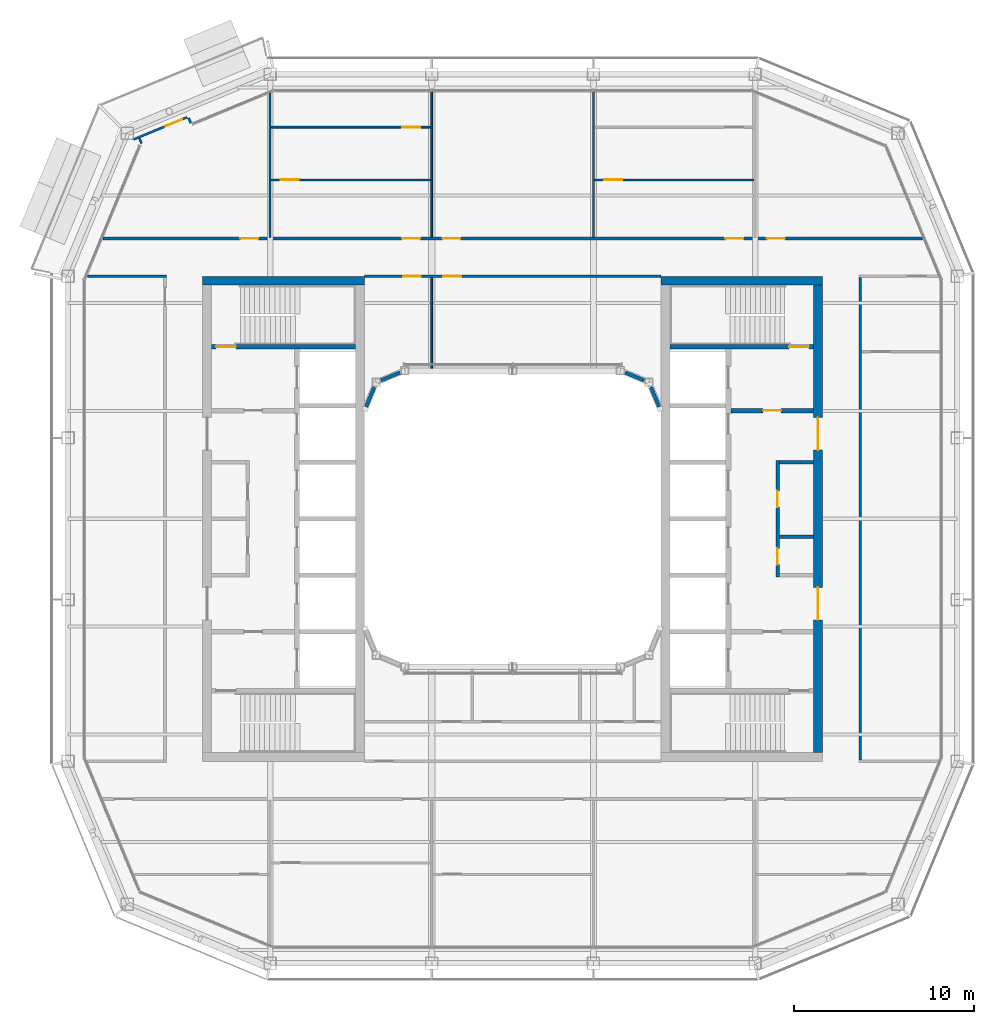
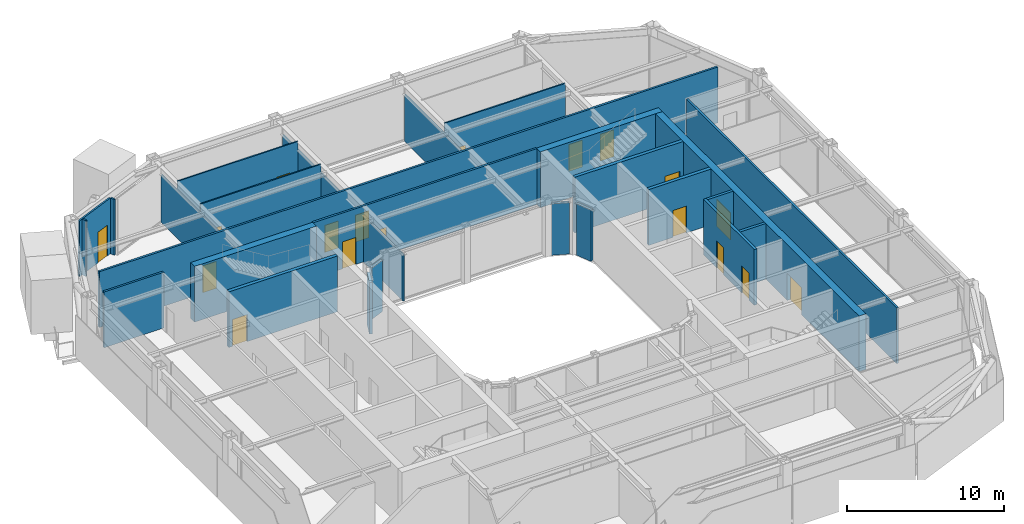
# One storey, part 14 of 22: 27 walls, 18 doors, 18 openings.
"""IFC4 building model written with IfcOpenShell, lengths in metres."""

from ifc_helpers import new_model, si_unit, direction, frame, frame_2d, origin, place, context, subcontext, project, spatial, rectangle, extrude, material, layer, layer_set, type_object, element, fill, save


model = new_model("IFC4")

# Units and contexts
model_context = context("Model", 3, precision=1e-05, world=origin(), true_north=direction((0.0, 1.0)))
body_context = subcontext(model_context, "Body", "Model", "MODEL_VIEW")
ifc_project = project(units=[si_unit("LENGTHUNIT", "METRE"), si_unit("AREAUNIT", "SQUARE_METRE"), si_unit("VOLUMEUNIT", "CUBIC_METRE"), si_unit("PLANEANGLEUNIT", "RADIAN"), si_unit("MASSUNIT", "GRAM", prefix="KILO")], contexts=[model_context])

# Site, building, storey
site_placement = place(None, origin())
site = spatial("IfcSite", under=ifc_project, at=site_placement, CompositionType="ELEMENT")
building_placement = place(site_placement, origin())
building = spatial("IfcBuilding", under=site, at=building_placement, Name="Siwar Civic Tower", CompositionType="ELEMENT")
storey_placement = place(building_placement, frame((0.0, 0.0, 330.199951171875)))
storey = spatial("IfcBuildingStorey", under=building, at=storey_placement, Name="L71", CompositionType="ELEMENT", Elevation=330.199951171875)

# Wall, openings, doors
ifc_material_1 = material(Name="Gypsum board on steel studs", Category="steel")
ifc_layer_1 = layer(ifc_material_1, 0.199951171875)
ifc_layer_set_1 = layer_set([ifc_layer_1], Name="Gypsum board on steel studs")
wall_type_1 = type_object("IfcWallType", Name="CORE-PARTITION-200", PredefinedType="PARTITIONING", material=ifc_layer_set_1)
wall_1_placement = place(storey_placement, frame((14.75, -3.25, 0.0), z_axis=(0.0, 0.0, 1.0), x_axis=(0.0, 1.0, 0.0)))
wall_1 = element("IfcWall", 1, at=wall_1_placement, inside=storey, type_object=wall_type_1, Name="Core partition E", PredefinedType="PARTITIONING", context=body_context, shape_type="SweptSolid", body=[
    extrude(rectangle(XDim=6.5, YDim=0.199951171875, at=frame_2d((3.25, 0.0))), origin(), (0.0, 0.0, 1.0), 4.35009765625),
])
opening_1_placement = place(wall_1_placement, frame((0.699951171875, 0.0, 0.0)))
opening_1 = element("IfcOpeningElement", 2, at=opening_1_placement, cuts=wall_1, Name="Opening L71-CE13", PredefinedType="OPENING", context=body_context, shape_type="SweptSolid", body=[
    extrude(rectangle(XDim=0.89990234375, YDim=2.10009765625, at=frame_2d((0.449951171875, 1.050048828125))), frame((0.0, 0.10986328125, 0.0), z_axis=(0.0, -1.0, 0.0), x_axis=(1.0, 0.0, 0.0)), (0.0, 0.0, 1.0), 0.219970703125),
])
opening_2_placement = place(wall_1_placement, frame((3.89990234375, 0.0, 0.0)))
opening_2 = element("IfcOpeningElement", 3, at=opening_2_placement, cuts=wall_1, Name="Opening L71-CE14", PredefinedType="OPENING", context=body_context, shape_type="SweptSolid", body=[
    extrude(rectangle(XDim=0.89990234375, YDim=2.10009765625, at=frame_2d((0.449951171875, 1.050048828125))), frame((0.0, 0.10986328125, 0.0), z_axis=(0.0, -1.0, 0.0), x_axis=(1.0, 0.0, 0.0)), (0.0, 0.0, 1.0), 0.219970703125),
])
ifc_material_2 = material(Name="Steel door leaf", Category="steel")
door_type_1 = type_object("IfcDoorType", Name="CORE-DOOR-ROOM", OperationType="SINGLE_SWING_LEFT", PredefinedType="DOOR", material=ifc_material_2)
door_1_placement = place(opening_1_placement, origin())
door_1 = element("IfcDoor", 4, at=door_1_placement, inside=storey, type_object=door_type_1, Name="Core room door L71-CE13", OperationType="SINGLE_SWING_LEFT", OverallHeight=2.10009765625, OverallWidth=0.89990234375, PredefinedType="DOOR", context=body_context, shape_type="SweptSolid", body=[
    extrude(rectangle(XDim=0.89990234375, YDim=2.10009765625, at=frame_2d((0.449951171875, 1.050048828125))), frame((0.0, 0.02490234375, 0.0), z_axis=(0.0, -1.0, 0.0), x_axis=(1.0, 0.0, 0.0)), (0.0, 0.0, 1.0), 0.050048828125),
])
fill(opening_1, door_1)
door_2_placement = place(opening_2_placement, origin())
door_2 = element("IfcDoor", 5, at=door_2_placement, inside=storey, type_object=door_type_1, Name="Core room door L71-CE14", OperationType="SINGLE_SWING_RIGHT", OverallHeight=2.10009765625, OverallWidth=0.89990234375, PredefinedType="DOOR", context=body_context, shape_type="SweptSolid", body=[
    extrude(rectangle(XDim=0.89990234375, YDim=2.10009765625, at=frame_2d((0.449951171875, 1.050048828125))), frame((0.0, 0.02490234375, 0.0), z_axis=(0.0, -1.0, 0.0), x_axis=(1.0, 0.0, 0.0)), (0.0, 0.0, 1.0), 0.050048828125),
])
fill(opening_2, door_2)

# Walls
for number, where, z_axis, x_axis, name in (
    (6, (14.85009765625, 3.14990234375, 0.0), (0.0, 0.0, 1.0), (1.0, 0.0, 0.0), "Core partition E"),
    (7, (14.85009765625, -1.0, 0.0), (0.0, 0.0, 1.0), (1.0, 0.0, 0.0), "Core partition E"),
):
    element("IfcWall", number, at=place(storey_placement, frame(where, z_axis=z_axis, x_axis=x_axis)), inside=storey, type_object=wall_type_1, Name=name, PredefinedType="PARTITIONING", context=body_context, shape_type="SweptSolid", body=[
        extrude(rectangle(XDim=1.89990234375, YDim=0.199951171875, at=frame_2d((0.949951171875, 0.0))), origin(), (0.0, 0.0, 1.0), 4.35009765625),
    ])

# Wall, opening, door
ifc_material_3 = material(Name="Concrete C60/75", Category="concrete")
ifc_layer_2 = layer(ifc_material_3, 0.25)
ifc_layer_set_2 = layer_set([ifc_layer_2], Name="Concrete C60/75")
wall_type_2 = type_object("IfcWallType", Name="CORE-WALL-RC250", PredefinedType="SHEAR", material=ifc_layer_set_2)
wall_2_placement = place(storey_placement, frame((-8.75, 9.574951171875, 0.0), z_axis=(0.0, 0.0, 1.0), x_axis=(-1.0, 0.0, 0.0)))
wall_2 = element("IfcWall", 8, at=wall_2_placement, inside=storey, type_object=wall_type_2, Name="Core wall W", PredefinedType="SHEAR", context=body_context, shape_type="SweptSolid", body=[
    extrude(rectangle(XDim=8.0, YDim=0.25, at=frame_2d((4.0, 0.0))), origin(), (0.0, 0.0, 1.0), 4.35009765625),
])
opening_3_placement = place(wall_2_placement, frame((6.64990234375, 0.0, 0.0)))
opening_3 = element("IfcOpeningElement", 9, at=opening_3_placement, cuts=wall_2, Name="Opening L71-CW03", PredefinedType="OPENING", context=body_context, shape_type="SweptSolid", body=[
    extrude(rectangle(XDim=1.10009765625, YDim=2.10009765625, at=frame_2d((0.550048828125, 1.050048828125))), frame((0.0, 0.135009765625, 0.0), z_axis=(0.0, -1.0, 0.0), x_axis=(1.0, 0.0, 0.0)), (0.0, 0.0, 1.0), 0.27001953125),
])
ifc_material_4 = material(Name="Steel door leaf", Category="steel")
door_type_2 = type_object("IfcDoorType", Name="CORE-DOOR-FD60S", OperationType="SINGLE_SWING_LEFT", PredefinedType="DOOR", material=ifc_material_4)
door_3_placement = place(opening_3_placement, origin())
door_3 = element("IfcDoor", 10, at=door_3_placement, inside=storey, type_object=door_type_2, Name="Stair door L71-CW03", OperationType="SINGLE_SWING_RIGHT", OverallHeight=2.10009765625, OverallWidth=1.10009765625, PredefinedType="DOOR", context=body_context, shape_type="SweptSolid", body=[
    extrude(rectangle(XDim=1.10009765625, YDim=2.10009765625, at=frame_2d((0.550048828125, 1.050048828125))), frame((0.0, 0.02490234375, 0.0), z_axis=(0.0, -1.0, 0.0), x_axis=(1.0, 0.0, 0.0)), (0.0, 0.0, 1.0), 0.050048828125),
])
fill(opening_3, door_3)

wall_3_placement = place(storey_placement, frame((12.14990234375, 6.02490234375, 0.0), z_axis=(0.0, 0.0, 1.0), x_axis=(1.0, 0.0, 0.0)))
wall_3 = element("IfcWall", 11, at=wall_3_placement, inside=storey, type_object=wall_type_2, Name="Core wall E", PredefinedType="SHEAR", context=body_context, shape_type="SweptSolid", body=[
    extrude(rectangle(XDim=4.60009765625, YDim=0.25, at=frame_2d((2.300048828125, 0.0))), origin(), (0.0, 0.0, 1.0), 4.35009765625),
])
opening_4_placement = place(wall_3_placement, frame((1.800048828125, 0.0, 0.0)))
opening_4 = element("IfcOpeningElement", 12, at=opening_4_placement, cuts=wall_3, Name="Opening L71-CE01", PredefinedType="OPENING", context=body_context, shape_type="SweptSolid", body=[
    extrude(rectangle(XDim=1.0, YDim=2.10009765625, at=frame_2d((0.5, 1.050048828125))), frame((0.0, 0.135009765625, 0.0), z_axis=(0.0, -1.0, 0.0), x_axis=(1.0, 0.0, 0.0)), (0.0, 0.0, 1.0), 0.27001953125),
])
ifc_material_5 = material(Name="Steel door leaf", Category="steel")
door_type_3 = type_object("IfcDoorType", Name="CORE-DOOR-FD30S", OperationType="SINGLE_SWING_LEFT", PredefinedType="DOOR", material=ifc_material_5)
door_4_placement = place(opening_4_placement, origin())
door_4 = element("IfcDoor", 13, at=door_4_placement, inside=storey, type_object=door_type_3, Name="Firefighting lobby door L71-CE01", OperationType="SINGLE_SWING_RIGHT", OverallHeight=2.10009765625, OverallWidth=1.0, PredefinedType="DOOR", context=body_context, shape_type="SweptSolid", body=[
    extrude(rectangle(XDim=1.0, YDim=2.10009765625, at=frame_2d((0.5, 1.050048828125))), frame((0.0, 0.02490234375, 0.0), z_axis=(0.0, -1.0, 0.0), x_axis=(1.0, 0.0, 0.0)), (0.0, 0.0, 1.0), 0.050048828125),
])
fill(opening_4, door_4)

wall_4_placement = place(storey_placement, frame((8.75, 9.574951171875, 0.0), z_axis=(0.0, 0.0, 1.0), x_axis=(1.0, 0.0, 0.0)))
wall_4 = element("IfcWall", 14, at=wall_4_placement, inside=storey, type_object=wall_type_2, Name="Core wall E", PredefinedType="SHEAR", context=body_context, shape_type="SweptSolid", body=[
    extrude(rectangle(XDim=8.0, YDim=0.25, at=frame_2d((4.0, 0.0))), origin(), (0.0, 0.0, 1.0), 4.35009765625),
])
opening_5_placement = place(wall_4_placement, frame((6.64990234375, 0.0, 0.0)))
opening_5 = element("IfcOpeningElement", 15, at=opening_5_placement, cuts=wall_4, Name="Opening L71-CE03", PredefinedType="OPENING", context=body_context, shape_type="SweptSolid", body=[
    extrude(rectangle(XDim=1.10009765625, YDim=2.10009765625, at=frame_2d((0.550048828125, 1.050048828125))), frame((0.0, 0.135009765625, 0.0), z_axis=(0.0, -1.0, 0.0), x_axis=(1.0, 0.0, 0.0)), (0.0, 0.0, 1.0), 0.27001953125),
])
door_5_placement = place(opening_5_placement, origin())
door_5 = element("IfcDoor", 16, at=door_5_placement, inside=storey, type_object=door_type_2, Name="Stair door L71-CE03", OperationType="SINGLE_SWING_LEFT", OverallHeight=2.10009765625, OverallWidth=1.10009765625, PredefinedType="DOOR", context=body_context, shape_type="SweptSolid", body=[
    extrude(rectangle(XDim=1.10009765625, YDim=2.10009765625, at=frame_2d((0.550048828125, 1.050048828125))), frame((0.0, 0.02490234375, 0.0), z_axis=(0.0, -1.0, 0.0), x_axis=(1.0, 0.0, 0.0)), (0.0, 0.0, 1.0), 0.050048828125),
])
fill(opening_5, door_5)

# Wall
ifc_material_6 = material(Name="Concrete C60/75", Category="concrete")
ifc_layer_3 = layer(ifc_material_6, 0.5)
ifc_layer_set_3 = layer_set([ifc_layer_3], Name="Concrete C60/75")
wall_type_3 = type_object("IfcWallType", Name="CORE-WALL-RC500", PredefinedType="SHEAR", material=ifc_layer_set_3)
wall_5_placement = place(storey_placement, frame((-8.25, 13.25, 0.0), z_axis=(0.0, 0.0, 1.0), x_axis=(-1.0, 0.0, 0.0)))
element("IfcWall", 17, at=wall_5_placement, inside=storey, type_object=wall_type_3, Name="Core wall W", PredefinedType="SHEAR", context=body_context, shape_type="SweptSolid", body=[
    extrude(rectangle(XDim=9.0, YDim=0.5, at=frame_2d((4.5, 0.0))), origin(), (0.0, 0.0, 1.0), 4.35009765625),
])

# Wall, openings, doors
wall_6_placement = place(storey_placement, frame((17.0, -13.0, 0.0), z_axis=(0.0, 0.0, 1.0), x_axis=(0.0, 1.0, 0.0)))
wall_6 = element("IfcWall", 18, at=wall_6_placement, inside=storey, type_object=wall_type_3, Name="Core wall E", PredefinedType="SHEAR", context=body_context, shape_type="SweptSolid", body=[
    extrude(rectangle(XDim=26.0, YDim=0.5, at=frame_2d((13.0, 0.0))), origin(), (0.0, 0.0, 1.0), 4.35009765625),
])
opening_6_placement = place(wall_6_placement, frame((16.824951171875, 0.0, 0.0)))
opening_6 = element("IfcOpeningElement", 19, at=opening_6_placement, cuts=wall_6, Name="Opening L71-CE05", PredefinedType="OPENING", context=body_context, shape_type="SweptSolid", body=[
    extrude(rectangle(XDim=1.800048828125, YDim=2.10009765625, at=frame_2d((0.89990234375, 1.050048828125))), frame((0.0, 0.260009765625, 0.0), z_axis=(0.0, -1.0, 0.0), x_axis=(1.0, 0.0, 0.0)), (0.0, 0.0, 1.0), 0.52001953125),
])
opening_7_placement = place(wall_6_placement, frame((7.375, 0.0, 0.0)))
opening_7 = element("IfcOpeningElement", 20, at=opening_7_placement, cuts=wall_6, Name="Opening L71-CE06", PredefinedType="OPENING", context=body_context, shape_type="SweptSolid", body=[
    extrude(rectangle(XDim=1.800048828125, YDim=2.10009765625, at=frame_2d((0.89990234375, 1.050048828125))), frame((0.0, 0.260009765625, 0.0), z_axis=(0.0, -1.0, 0.0), x_axis=(1.0, 0.0, 0.0)), (0.0, 0.0, 1.0), 0.52001953125),
])
ifc_material_7 = material(Name="Steel door leaf", Category="steel")
door_type_4 = type_object("IfcDoorType", Name="CORE-DOOR-PORT", OperationType="DOUBLE_DOOR_DOUBLE_SWING", PredefinedType="DOOR", material=ifc_material_7)
door_6_placement = place(opening_6_placement, origin())
door_6 = element("IfcDoor", 21, at=door_6_placement, inside=storey, type_object=door_type_4, Name="Core entrance door L71-CE05", OperationType="DOUBLE_DOOR_DOUBLE_SWING", OverallHeight=2.10009765625, OverallWidth=1.800048828125, PredefinedType="DOOR", context=body_context, shape_type="SweptSolid", body=[
    extrude(rectangle(XDim=1.800048828125, YDim=2.10009765625, at=frame_2d((0.89990234375, 1.050048828125))), frame((0.0, 0.02490234375, 0.0), z_axis=(0.0, -1.0, 0.0), x_axis=(1.0, 0.0, 0.0)), (0.0, 0.0, 1.0), 0.050048828125),
])
fill(opening_6, door_6)
door_7_placement = place(opening_7_placement, origin())
door_7 = element("IfcDoor", 22, at=door_7_placement, inside=storey, type_object=door_type_4, Name="Core entrance door L71-CE06", OperationType="DOUBLE_DOOR_DOUBLE_SWING", OverallHeight=2.10009765625, OverallWidth=1.800048828125, PredefinedType="DOOR", context=body_context, shape_type="SweptSolid", body=[
    extrude(rectangle(XDim=1.800048828125, YDim=2.10009765625, at=frame_2d((0.89990234375, 1.050048828125))), frame((0.0, 0.02490234375, 0.0), z_axis=(0.0, -1.0, 0.0), x_axis=(1.0, 0.0, 0.0)), (0.0, 0.0, 1.0), 0.050048828125),
])
fill(opening_7, door_7)

# Walls
wall_7_placement = place(storey_placement, frame((8.25, 13.25, 0.0), z_axis=(0.0, 0.0, 1.0), x_axis=(1.0, 0.0, 0.0)))
element("IfcWall", 23, at=wall_7_placement, inside=storey, type_object=wall_type_3, Name="Core wall E", PredefinedType="SHEAR", context=body_context, shape_type="SweptSolid", body=[
    extrude(rectangle(XDim=9.0, YDim=0.5, at=frame_2d((4.5, 0.0))), origin(), (0.0, 0.0, 1.0), 4.35009765625),
])
ifc_material_8 = material(Name="Gypsum board on steel studs", Category="steel")
ifc_layer_4 = layer(ifc_material_8, 0.14990234375)
ifc_layer_set_4 = layer_set([ifc_layer_4], Name="Gypsum board on steel studs")
wall_type_4 = type_object("IfcWallType", Name="CORRIDOR PARTITION 150 EI 30", PredefinedType="PARTITIONING", material=ifc_layer_set_4)
wall_8_placement = place(storey_placement, frame((-23.677978515625, 13.5, 0.0), z_axis=(0.0, 0.0, 1.0), x_axis=(1.0, 0.0, 0.0)))
element("IfcWall", 24, at=wall_8_placement, inside=storey, type_object=wall_type_4, Name="L71/wall/P12", PredefinedType="PARTITIONING", context=body_context, shape_type="SweptSolid", body=[
    extrude(rectangle(XDim=4.403076171875, YDim=0.14990234375, at=frame_2d((2.20166015625, 0.0))), origin(), (0.0, 0.0, 1.0), 4.35009765625),
])

# Wall, openings, doors
wall_9_placement = place(storey_placement, frame((-8.25, 13.5, 0.0), z_axis=(0.0, 0.0, 1.0), x_axis=(1.0, 0.0, 0.0)))
wall_9 = element("IfcWall", 25, at=wall_9_placement, inside=storey, type_object=wall_type_4, Name="L71/wall/P13", PredefinedType="PARTITIONING", context=body_context, shape_type="SweptSolid", body=[
    extrude(rectangle(XDim=16.5, YDim=0.14990234375, at=frame_2d((8.25, 0.0))), origin(), (0.0, 0.0, 1.0), 4.35009765625),
])
opening_8_placement = place(wall_9_placement, frame((2.14990234375, 0.0, 0.0)))
opening_8 = element("IfcOpeningElement", 26, at=opening_8_placement, cuts=wall_9, Name="Opening D1", PredefinedType="OPENING", context=body_context, shape_type="SweptSolid", body=[
    extrude(rectangle(XDim=1.0, YDim=2.10009765625, at=frame_2d((0.5, 1.050048828125))), frame((0.0, 0.0849609375, 0.0), z_axis=(0.0, -1.0, 0.0), x_axis=(1.0, 0.0, 0.0)), (0.0, 0.0, 1.0), 0.169921875),
])
opening_9_placement = place(wall_9_placement, frame((4.39990234375, 0.0, 0.0)))
opening_9 = element("IfcOpeningElement", 27, at=opening_9_placement, cuts=wall_9, Name="Opening D1", PredefinedType="OPENING", context=body_context, shape_type="SweptSolid", body=[
    extrude(rectangle(XDim=1.0, YDim=2.10009765625, at=frame_2d((0.5, 1.050048828125))), frame((0.0, 0.0849609375, 0.0), z_axis=(0.0, -1.0, 0.0), x_axis=(1.0, 0.0, 0.0)), (0.0, 0.0, 1.0), 0.169921875),
])
ifc_material_9 = material(Name="Timber, painted", Category="wood")
door_type_5 = type_object("IfcDoorType", Name="DOOR 1000 X 2100 FD30", OperationType="SINGLE_SWING_LEFT", PredefinedType="DOOR", material=ifc_material_9)
door_8_placement = place(opening_8_placement, origin())
door_8 = element("IfcDoor", 28, at=door_8_placement, inside=storey, type_object=door_type_5, Name="L71-D22", OperationType="SINGLE_SWING_RIGHT", OverallHeight=2.10009765625, OverallWidth=1.0, PredefinedType="DOOR", context=body_context, shape_type="SweptSolid", body=[
    extrude(rectangle(XDim=1.0, YDim=2.10009765625, at=frame_2d((0.5, 1.050048828125))), frame((0.0, 0.02490234375, 0.0), z_axis=(0.0, -1.0, 0.0), x_axis=(1.0, 0.0, 0.0)), (0.0, 0.0, 1.0), 0.050048828125),
])
fill(opening_8, door_8)
door_9_placement = place(opening_9_placement, origin())
door_9 = element("IfcDoor", 29, at=door_9_placement, inside=storey, type_object=door_type_5, Name="L71-D23", OperationType="SINGLE_SWING_LEFT", OverallHeight=2.10009765625, OverallWidth=1.0, PredefinedType="DOOR", context=body_context, shape_type="SweptSolid", body=[
    extrude(rectangle(XDim=1.0, YDim=2.10009765625, at=frame_2d((0.5, 1.050048828125))), frame((0.0, 0.02490234375, 0.0), z_axis=(0.0, -1.0, 0.0), x_axis=(1.0, 0.0, 0.0)), (0.0, 0.0, 1.0), 0.050048828125),
])
fill(opening_9, door_9)

wall_10_placement = place(storey_placement, frame((-22.80810546875, 15.60009765625, 0.0), z_axis=(0.0, 0.0, 1.0), x_axis=(1.0, 0.0, 0.0)))
wall_10 = element("IfcWall", 30, at=wall_10_placement, inside=storey, type_object=wall_type_4, Name="L71/wall/P15", PredefinedType="PARTITIONING", context=body_context, shape_type="SweptSolid", body=[
    extrude(rectangle(XDim=45.6162109375, YDim=0.14990234375, at=frame_2d((22.80810546875, 0.0))), origin(), (0.0, 0.0, 1.0), 4.35009765625),
])
opening_10_placement = place(wall_10_placement, frame((16.657958984375, 0.0, 0.0)))
opening_10 = element("IfcOpeningElement", 31, at=opening_10_placement, cuts=wall_10, Name="Opening D1", PredefinedType="OPENING", context=body_context, shape_type="SweptSolid", body=[
    extrude(rectangle(XDim=1.0, YDim=2.10009765625, at=frame_2d((0.5, 1.050048828125))), frame((0.0, 0.0849609375, 0.0), z_axis=(0.0, -1.0, 0.0), x_axis=(1.0, 0.0, 0.0)), (0.0, 0.0, 1.0), 0.169921875),
])
opening_11_placement = place(wall_10_placement, frame((18.907958984375, 0.0, 0.0)))
opening_11 = element("IfcOpeningElement", 32, at=opening_11_placement, cuts=wall_10, Name="Opening D1", PredefinedType="OPENING", context=body_context, shape_type="SweptSolid", body=[
    extrude(rectangle(XDim=1.0, YDim=2.10009765625, at=frame_2d((0.5, 1.050048828125))), frame((0.0, 0.0849609375, 0.0), z_axis=(0.0, -1.0, 0.0), x_axis=(1.0, 0.0, 0.0)), (0.0, 0.0, 1.0), 0.169921875),
])
opening_12_placement = place(wall_10_placement, frame((34.657958984375, 0.0, 0.0)))
opening_12 = element("IfcOpeningElement", 33, at=opening_12_placement, cuts=wall_10, Name="Opening D1", PredefinedType="OPENING", context=body_context, shape_type="SweptSolid", body=[
    extrude(rectangle(XDim=1.0, YDim=2.10009765625, at=frame_2d((0.5, 1.050048828125))), frame((0.0, 0.0849609375, 0.0), z_axis=(0.0, -1.0, 0.0), x_axis=(1.0, 0.0, 0.0)), (0.0, 0.0, 1.0), 0.169921875),
])
opening_13_placement = place(wall_10_placement, frame((7.657958984375, 0.0, 0.0)))
opening_13 = element("IfcOpeningElement", 34, at=opening_13_placement, cuts=wall_10, Name="Opening D1", PredefinedType="OPENING", context=body_context, shape_type="SweptSolid", body=[
    extrude(rectangle(XDim=1.0, YDim=2.10009765625, at=frame_2d((0.5, 1.050048828125))), frame((0.0, 0.0849609375, 0.0), z_axis=(0.0, -1.0, 0.0), x_axis=(1.0, 0.0, 0.0)), (0.0, 0.0, 1.0), 0.169921875),
])
opening_14_placement = place(wall_10_placement, frame((36.966064453125, 0.0, 0.0)))
opening_14 = element("IfcOpeningElement", 35, at=opening_14_placement, cuts=wall_10, Name="Opening D1", PredefinedType="OPENING", context=body_context, shape_type="SweptSolid", body=[
    extrude(rectangle(XDim=1.0, YDim=2.10009765625, at=frame_2d((0.5, 1.050048828125))), frame((0.0, 0.0849609375, 0.0), z_axis=(0.0, -1.0, 0.0), x_axis=(1.0, 0.0, 0.0)), (0.0, 0.0, 1.0), 0.169921875),
])
door_10_placement = place(opening_10_placement, origin())
door_10 = element("IfcDoor", 36, at=door_10_placement, inside=storey, type_object=door_type_5, Name="L71-D01", OperationType="SINGLE_SWING_LEFT", OverallHeight=2.10009765625, OverallWidth=1.0, PredefinedType="DOOR", context=body_context, shape_type="SweptSolid", body=[
    extrude(rectangle(XDim=1.0, YDim=2.10009765625, at=frame_2d((0.5, 1.050048828125))), frame((0.0, 0.02490234375, 0.0), z_axis=(0.0, -1.0, 0.0), x_axis=(1.0, 0.0, 0.0)), (0.0, 0.0, 1.0), 0.050048828125),
])
fill(opening_10, door_10)
door_11_placement = place(opening_11_placement, origin())
door_11 = element("IfcDoor", 37, at=door_11_placement, inside=storey, type_object=door_type_5, Name="L71-D04", OperationType="SINGLE_SWING_RIGHT", OverallHeight=2.10009765625, OverallWidth=1.0, PredefinedType="DOOR", context=body_context, shape_type="SweptSolid", body=[
    extrude(rectangle(XDim=1.0, YDim=2.10009765625, at=frame_2d((0.5, 1.050048828125))), frame((0.0, 0.02490234375, 0.0), z_axis=(0.0, -1.0, 0.0), x_axis=(1.0, 0.0, 0.0)), (0.0, 0.0, 1.0), 0.050048828125),
])
fill(opening_11, door_11)
door_12_placement = place(opening_12_placement, origin())
door_12 = element("IfcDoor", 38, at=door_12_placement, inside=storey, type_object=door_type_5, Name="L71-D05", OperationType="SINGLE_SWING_LEFT", OverallHeight=2.10009765625, OverallWidth=1.0, PredefinedType="DOOR", context=body_context, shape_type="SweptSolid", body=[
    extrude(rectangle(XDim=1.0, YDim=2.10009765625, at=frame_2d((0.5, 1.050048828125))), frame((0.0, 0.02490234375, 0.0), z_axis=(0.0, -1.0, 0.0), x_axis=(1.0, 0.0, 0.0)), (0.0, 0.0, 1.0), 0.050048828125),
])
fill(opening_12, door_12)
door_13_placement = place(opening_13_placement, origin())
door_13 = element("IfcDoor", 39, at=door_13_placement, inside=storey, type_object=door_type_5, Name="L71-D13", OperationType="SINGLE_SWING_LEFT", OverallHeight=2.10009765625, OverallWidth=1.0, PredefinedType="DOOR", context=body_context, shape_type="SweptSolid", body=[
    extrude(rectangle(XDim=1.0, YDim=2.10009765625, at=frame_2d((0.5, 1.050048828125))), frame((0.0, 0.02490234375, 0.0), z_axis=(0.0, -1.0, 0.0), x_axis=(1.0, 0.0, 0.0)), (0.0, 0.0, 1.0), 0.050048828125),
])
fill(opening_13, door_13)
door_14_placement = place(opening_14_placement, origin())
door_14 = element("IfcDoor", 40, at=door_14_placement, inside=storey, type_object=door_type_5, Name="L71-D14", OperationType="SINGLE_SWING_RIGHT", OverallHeight=2.10009765625, OverallWidth=1.0, PredefinedType="DOOR", context=body_context, shape_type="SweptSolid", body=[
    extrude(rectangle(XDim=1.0, YDim=2.10009765625, at=frame_2d((0.5, 1.050048828125))), frame((0.0, 0.02490234375, 0.0), z_axis=(0.0, -1.0, 0.0), x_axis=(1.0, 0.0, 0.0)), (0.0, 0.0, 1.0), 0.050048828125),
])
fill(opening_14, door_14)

# Walls
wall_11_placement = place(storey_placement, frame((19.35009765625, -13.425048828125, 0.0), z_axis=(0.0, 0.0, 1.0), x_axis=(0.0, 1.0, 0.0)))
element("IfcWall", 41, at=wall_11_placement, inside=storey, type_object=wall_type_4, Name="L71/wall/P33", PredefinedType="PARTITIONING", context=body_context, shape_type="SweptSolid", body=[
    extrude(rectangle(XDim=26.85009765625, YDim=0.14990234375, at=frame_2d((13.425048828125, 0.0))), origin(), (0.0, 0.0, 1.0), 4.35009765625),
])
ifc_material_10 = material(Name="Aluminium clad insulated panel", Category="aluminium")
ifc_layer_5 = layer(ifc_material_10, 0.1201171875)
ifc_layer_set_5 = layer_set([ifc_layer_5], Name="Aluminium clad insulated panel")
wall_type_5 = type_object("IfcWallType", Name="ENV-WALL-BAL", PredefinedType="STANDARD", material=ifc_layer_set_5)
wall_12_placement = place(storey_placement, frame((-17.91748046875, 22.03271484375, 0.0), z_axis=(0.0, 0.0, 1.0), x_axis=(-0.382769136873, 0.923844027884, 0.0)))
element("IfcWall", 42, at=wall_12_placement, inside=storey, type_object=wall_type_5, Name="Balcony door wall return NW1", PredefinedType="STANDARD", context=body_context, shape_type="SweptSolid", body=[
    extrude(rectangle(XDim=0.31005859375, YDim=0.1201171875, at=frame_2d((0.155029296875, 0.0))), origin(), (0.0, 0.0, 1.0), 4.35009765625),
])
wall_13_placement = place(storey_placement, frame((-20.66015625, 20.896484375, 0.0), z_axis=(0.0, 0.0, 1.0), x_axis=(-0.382490814953, 0.923959293734, 0.0)))
element("IfcWall", 43, at=wall_13_placement, inside=storey, type_object=wall_type_5, Name="Balcony door wall return NW1", PredefinedType="STANDARD", context=body_context, shape_type="SweptSolid", body=[
    extrude(rectangle(XDim=0.310302734375, YDim=0.1201171875, at=frame_2d((0.1552734375, 0.0))), origin(), (0.0, 0.0, 1.0), 4.35009765625),
])

# Wall, opening, door
wall_14_placement = place(storey_placement, frame((-18.114501953125, 22.3515625, 0.0), z_axis=(0.0, 0.0, 1.0), x_axis=(-0.923871583709, -0.382702621907, 0.0)))
wall_14 = element("IfcWall", 44, at=wall_14_placement, inside=storey, type_object=wall_type_5, Name="Balcony door wall NW1", PredefinedType="STANDARD", context=body_context, shape_type="SweptSolid", body=[
    extrude(rectangle(XDim=3.23681640625, YDim=0.1201171875, at=frame_2d((1.618408203125, 0.0))), origin(), (0.0, 0.0, 1.0), 4.35009765625),
])
opening_15_placement = place(wall_14_placement, frame((0.300048828125, 0.0, 0.0)))
opening_15 = element("IfcOpeningElement", 45, at=opening_15_placement, cuts=wall_14, Name="Opening D-BAL", PredefinedType="OPENING", context=body_context, shape_type="SweptSolid", body=[
    extrude(rectangle(XDim=1.0, YDim=2.39990234375, at=frame_2d((0.5, 1.199951171875))), frame((0.0, 0.070068359375, 0.0), z_axis=(0.0, -1.0, 0.0), x_axis=(1.0, 0.0, 0.0)), (0.0, 0.0, 1.0), 0.14013671875),
])
ifc_material_11 = material(Name="Aluminium and glass", Category="aluminium")
door_type_6 = type_object("IfcDoorType", Name="ENV-DOOR-BAL", OperationType="SINGLE_SWING_LEFT", PredefinedType="DOOR", material=ifc_material_11)
door_15_placement = place(opening_15_placement, origin())
door_15 = element("IfcDoor", 46, at=door_15_placement, inside=storey, type_object=door_type_6, Name="Balcony door NW", OperationType="SINGLE_SWING_LEFT", OverallHeight=2.39990234375, OverallWidth=1.0, PredefinedType="DOOR", context=body_context, shape_type="SweptSolid", body=[
    extrude(rectangle(XDim=1.0, YDim=2.39990234375, at=frame_2d((0.5, 1.199951171875))), frame((0.0, 0.02490234375, 0.0), z_axis=(0.0, -1.0, 0.0), x_axis=(1.0, 0.0, 0.0)), (0.0, 0.0, 1.0), 0.050048828125),
])
fill(opening_15, door_15)

# Walls
ifc_material_12 = material(Name="Aluminium clad insulated panel", Category="aluminium")
ifc_layer_6 = layer(ifc_material_12, 0.199951171875)
ifc_layer_set_6 = layer_set([ifc_layer_6], Name="Aluminium clad insulated panel")
wall_type_6 = type_object("IfcWallType", Name="ENV-WALL-WELL", PredefinedType="STANDARD", material=ifc_layer_set_6)
wall_15_placement = place(storey_placement, frame((8.154296875, 6.23095703125, 0.0), z_axis=(0.0, 0.0, 1.0), x_axis=(-0.382760542083, 0.92384758885, 0.0)))
element("IfcWall", 47, at=wall_15_placement, inside=storey, type_object=wall_type_6, Name="Light well corner wall NE1", PredefinedType="STANDARD", context=body_context, shape_type="SweptSolid", body=[
    extrude(rectangle(XDim=1.177978515625, YDim=0.199951171875, at=frame_2d((0.5888671875, 0.0))), origin(), (0.0, 0.0, 1.0), 4.010009765625),
])
for number, where, z_axis, x_axis, name in (
    (48, (7.3193359375, 7.703369140625, 0.0), (0.0, 0.0, 1.0), (-0.923864661962, 0.382719331074, 0.0), "Light well corner wall NE2"),
    (49, (-6.271484375, 8.137451171875, 0.0), (0.0, 0.0, 1.0), (-0.923864661962, -0.382719331074, 0.0), "Light well corner wall NW1"),
):
    element("IfcWall", number, at=place(storey_placement, frame(where, z_axis=z_axis, x_axis=x_axis)), inside=storey, type_object=wall_type_6, Name=name, PredefinedType="STANDARD", context=body_context, shape_type="SweptSolid", body=[
        extrude(rectangle(XDim=1.13427734375, YDim=0.199951171875, at=frame_2d((0.567138671875, 0.0))), origin(), (0.0, 0.0, 1.0), 4.010009765625),
    ])
wall_16_placement = place(storey_placement, frame((-7.703369140625, 7.3193359375, 0.0), z_axis=(0.0, 0.0, 1.0), x_axis=(-0.382760542083, -0.92384758885, 0.0)))
element("IfcWall", 50, at=wall_16_placement, inside=storey, type_object=wall_type_6, Name="Light well corner wall NW2", PredefinedType="STANDARD", context=body_context, shape_type="SweptSolid", body=[
    extrude(rectangle(XDim=1.177978515625, YDim=0.199951171875, at=frame_2d((0.5888671875, 0.0))), origin(), (0.0, 0.0, 1.0), 4.010009765625),
])

# Wall, opening, door
ifc_material_13 = material(Name="Gypsum board on steel studs", Category="steel")
ifc_layer_7 = layer(ifc_material_13, 0.10009765625)
ifc_layer_set_7 = layer_set([ifc_layer_7], Name="Gypsum board on steel studs")
wall_type_7 = type_object("IfcWallType", Name="PARTITION 100 GYPSUM", PredefinedType="PARTITIONING", material=ifc_layer_set_7)
wall_17_placement = place(storey_placement, frame((-13.449951171875, 18.864013671875, 0.0), z_axis=(0.0, 0.0, 1.0), x_axis=(1.0, 0.0, 0.0)))
wall_17 = element("IfcWall", 51, at=wall_17_placement, inside=storey, type_object=wall_type_7, Name="L71/wall/P16", PredefinedType="PARTITIONING", context=body_context, shape_type="SweptSolid", body=[
    extrude(rectangle(XDim=8.89990234375, YDim=0.10009765625, at=frame_2d((4.449951171875, 0.0))), origin(), (0.0, 0.0, 1.0), 4.35009765625),
])
opening_16_placement = place(wall_17_placement, frame((0.550048828125, 0.0, 0.0)))
opening_16 = element("IfcOpeningElement", 52, at=opening_16_placement, cuts=wall_17, Name="Opening D2", PredefinedType="OPENING", context=body_context, shape_type="SweptSolid", body=[
    extrude(rectangle(XDim=1.0, YDim=2.10009765625, at=frame_2d((0.5, 1.050048828125))), frame((0.0, 0.06005859375, 0.0), z_axis=(0.0, -1.0, 0.0), x_axis=(1.0, 0.0, 0.0)), (0.0, 0.0, 1.0), 0.1201171875),
])
ifc_material_14 = material(Name="Timber, painted", Category="wood")
door_type_7 = type_object("IfcDoorType", Name="DOOR 1000 X 2100", OperationType="SINGLE_SWING_LEFT", PredefinedType="DOOR", material=ifc_material_14)
door_16_placement = place(opening_16_placement, origin())
door_16 = element("IfcDoor", 53, at=door_16_placement, inside=storey, type_object=door_type_7, Name="L71-D02", OperationType="SINGLE_SWING_RIGHT", OverallHeight=2.10009765625, OverallWidth=1.0, PredefinedType="DOOR", context=body_context, shape_type="SweptSolid", body=[
    extrude(rectangle(XDim=1.0, YDim=2.10009765625, at=frame_2d((0.5, 1.050048828125))), frame((0.0, 0.02490234375, 0.0), z_axis=(0.0, -1.0, 0.0), x_axis=(1.0, 0.0, 0.0)), (0.0, 0.0, 1.0), 0.050048828125),
])
fill(opening_16, door_16)

wall_18_placement = place(storey_placement, frame((4.550048828125, 18.864013671875, 0.0), z_axis=(0.0, 0.0, 1.0), x_axis=(1.0, 0.0, 0.0)))
wall_18 = element("IfcWall", 54, at=wall_18_placement, inside=storey, type_object=wall_type_7, Name="L71/wall/P17", PredefinedType="PARTITIONING", context=body_context, shape_type="SweptSolid", body=[
    extrude(rectangle(XDim=8.89990234375, YDim=0.10009765625, at=frame_2d((4.449951171875, 0.0))), origin(), (0.0, 0.0, 1.0), 4.35009765625),
])
opening_17_placement = place(wall_18_placement, frame((0.550048828125, 0.0, 0.0)))
opening_17 = element("IfcOpeningElement", 55, at=opening_17_placement, cuts=wall_18, Name="Opening D2", PredefinedType="OPENING", context=body_context, shape_type="SweptSolid", body=[
    extrude(rectangle(XDim=1.0, YDim=2.10009765625, at=frame_2d((0.5, 1.050048828125))), frame((0.0, 0.06005859375, 0.0), z_axis=(0.0, -1.0, 0.0), x_axis=(1.0, 0.0, 0.0)), (0.0, 0.0, 1.0), 0.1201171875),
])
door_17_placement = place(opening_17_placement, origin())
door_17 = element("IfcDoor", 56, at=door_17_placement, inside=storey, type_object=door_type_7, Name="L71-D06", OperationType="SINGLE_SWING_RIGHT", OverallHeight=2.10009765625, OverallWidth=1.0, PredefinedType="DOOR", context=body_context, shape_type="SweptSolid", body=[
    extrude(rectangle(XDim=1.0, YDim=2.10009765625, at=frame_2d((0.5, 1.050048828125))), frame((0.0, 0.02490234375, 0.0), z_axis=(0.0, -1.0, 0.0), x_axis=(1.0, 0.0, 0.0)), (0.0, 0.0, 1.0), 0.050048828125),
])
fill(opening_17, door_17)

wall_19_placement = place(storey_placement, frame((-13.449951171875, 21.802001953125, 0.0), z_axis=(0.0, 0.0, 1.0), x_axis=(1.0, 0.0, 0.0)))
wall_19 = element("IfcWall", 57, at=wall_19_placement, inside=storey, type_object=wall_type_7, Name="L71/wall/P18", PredefinedType="PARTITIONING", context=body_context, shape_type="SweptSolid", body=[
    extrude(rectangle(XDim=8.89990234375, YDim=0.10009765625, at=frame_2d((4.449951171875, 0.0))), origin(), (0.0, 0.0, 1.0), 4.35009765625),
])
opening_18_placement = place(wall_19_placement, frame((7.300048828125, 0.0, 0.0)))
opening_18 = element("IfcOpeningElement", 58, at=opening_18_placement, cuts=wall_19, Name="Opening D2", PredefinedType="OPENING", context=body_context, shape_type="SweptSolid", body=[
    extrude(rectangle(XDim=1.0, YDim=2.10009765625, at=frame_2d((0.5, 1.050048828125))), frame((0.0, 0.06005859375, 0.0), z_axis=(0.0, -1.0, 0.0), x_axis=(1.0, 0.0, 0.0)), (0.0, 0.0, 1.0), 0.1201171875),
])
door_18_placement = place(opening_18_placement, origin())
door_18 = element("IfcDoor", 59, at=door_18_placement, inside=storey, type_object=door_type_7, Name="L71-D03", OperationType="SINGLE_SWING_LEFT", OverallHeight=2.10009765625, OverallWidth=1.0, PredefinedType="DOOR", context=body_context, shape_type="SweptSolid", body=[
    extrude(rectangle(XDim=1.0, YDim=2.10009765625, at=frame_2d((0.5, 1.050048828125))), frame((0.0, 0.02490234375, 0.0), z_axis=(0.0, -1.0, 0.0), x_axis=(1.0, 0.0, 0.0)), (0.0, 0.0, 1.0), 0.050048828125),
])
fill(opening_18, door_18)

# Walls
wall_20_placement = place(storey_placement, frame((-13.5, 15.675048828125, 0.0), z_axis=(0.0, 0.0, 1.0), x_axis=(0.0, 1.0, 0.0)))
element("IfcWall", 60, at=wall_20_placement, inside=storey, type_object=wall_type_7, Name="L71/wall/P22", PredefinedType="PARTITIONING", context=body_context, shape_type="SweptSolid", body=[
    extrude(rectangle(XDim=8.0029296875, YDim=0.10009765625, at=frame_2d((4.00146484375, 0.0))), origin(), (0.0, 0.0, 1.0), 3.75),
])
wall_21_placement = place(storey_placement, frame((-4.5, 8.3701171875, 0.0), z_axis=(0.0, 0.0, 1.0), x_axis=(0.0, 1.0, 0.0)))
element("IfcWall", 61, at=wall_21_placement, inside=storey, type_object=wall_type_7, Name="L71/wall/P24", PredefinedType="PARTITIONING", context=body_context, shape_type="SweptSolid", body=[
    extrude(rectangle(XDim=5.054931640625, YDim=0.10009765625, at=frame_2d((2.52734375, 0.0))), origin(), (0.0, 0.0, 1.0), 3.650146484375),
])
for number, where, z_axis, x_axis, name in (
    (62, (-4.5, 15.675048828125, 0.0), (0.0, 0.0, 1.0), (0.0, 1.0, 0.0), "L71/wall/P25"),
    (63, (4.5, 15.675048828125, 0.0), (0.0, 0.0, 1.0), (0.0, 1.0, 0.0), "L71/wall/P29"),
):
    element("IfcWall", number, at=place(storey_placement, frame(where, z_axis=z_axis, x_axis=x_axis)), inside=storey, type_object=wall_type_7, Name=name, PredefinedType="PARTITIONING", context=body_context, shape_type="SweptSolid", body=[
        extrude(rectangle(XDim=8.0849609375, YDim=0.10009765625, at=frame_2d((4.04248046875, 0.0))), origin(), (0.0, 0.0, 1.0), 3.650146484375),
    ])

save(model, "model.ifc")
